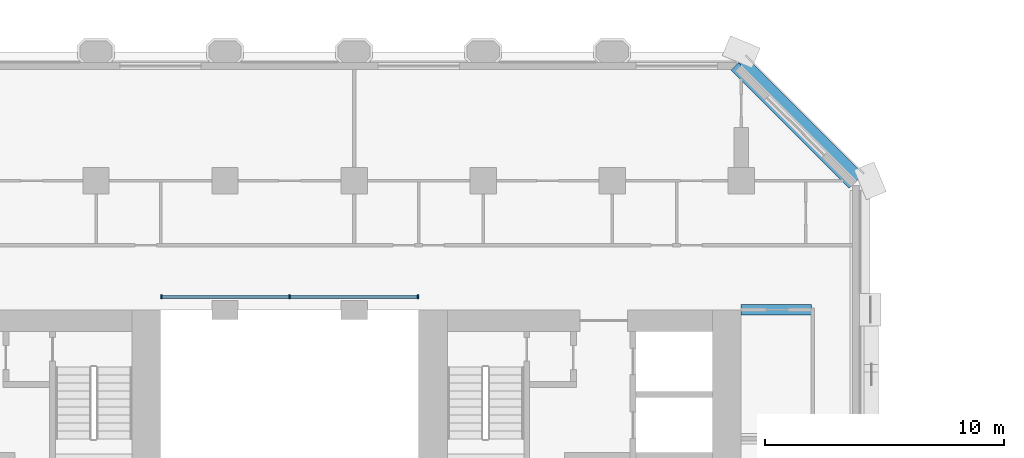
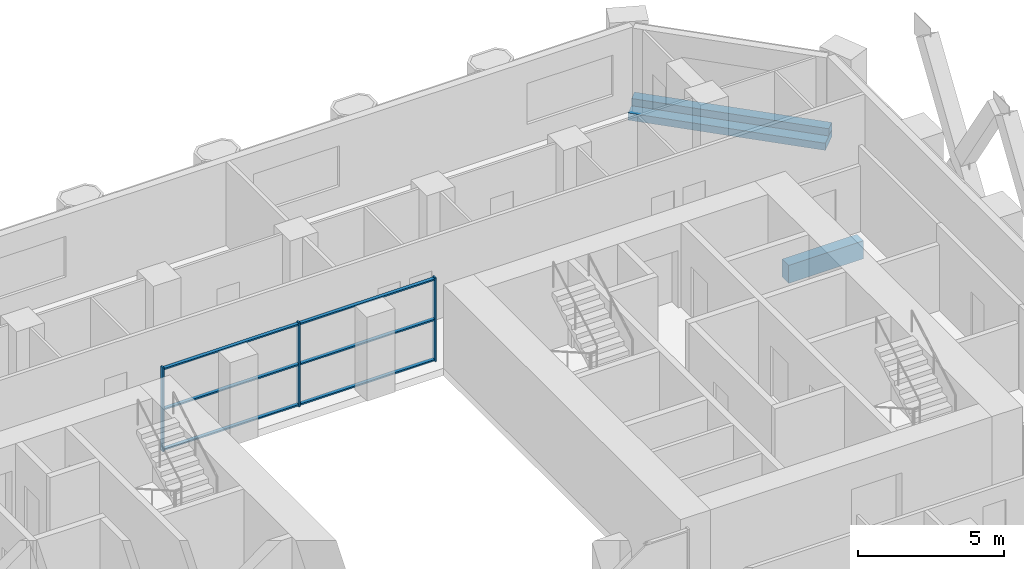
# One storey, part 4 of 14: 9 members, 3 beams, 1 element without a shape of its own.
"""IFC4 building model written with IfcOpenShell, lengths in metres."""

from ifc_helpers import new_model, si_unit, direction, frame, origin, origin_2d, place, context, subcontext, project, spatial, rectangle, extrude, material, material_profile, profile_set, type_object, element, aggregate, save


model = new_model("IFC4")

# Units and contexts
model_context = context("Model", 3, precision=1e-05, world=origin(), true_north=direction((0.0, 1.0)))
body_context = subcontext(model_context, "Body", "Model", "MODEL_VIEW")
ifc_project = project(units=[si_unit("LENGTHUNIT", "METRE"), si_unit("AREAUNIT", "SQUARE_METRE"), si_unit("VOLUMEUNIT", "CUBIC_METRE"), si_unit("PLANEANGLEUNIT", "RADIAN"), si_unit("MASSUNIT", "GRAM", prefix="KILO")], contexts=[model_context])

# Site, building, storey
site_placement = place(None, origin())
site = spatial("IfcSite", under=ifc_project, at=site_placement, CompositionType="ELEMENT")
building_placement = place(site_placement, origin())
building = spatial("IfcBuilding", under=site, at=building_placement, Name="Tabaq Tower and Sports Hall", CompositionType="ELEMENT")
storey_placement = place(building_placement, frame((0.0, 0.0, 33.60009765625)))
storey = spatial("IfcBuildingStorey", under=building, at=storey_placement, Name="L06", CompositionType="ELEMENT", Elevation=33.60009765625)

# Curtain wall, members
ifc_material_1 = material(Name="Aluminium alloy 6063-T6 framed glazing", Category="aluminium")
curtain_wall_type = type_object("IfcCurtainWallType", Name="CW1 curtain wall", PredefinedType="USERDEFINED", material=ifc_material_1)
curtain_wall_placement = place(storey_placement, origin())
curtain_wall = element("IfcCurtainWall", 1, at=curtain_wall_placement, inside=storey, type_object=curtain_wall_type, Name="Atrium glazing L06 N", ObjectType="ATRIUM ENCLOSURE", PredefinedType="USERDEFINED")
ifc_material_2 = material(Name="Aluminium alloy 6063-T6", Category="aluminium")
ifc_material_profile_1 = material_profile(ifc_material_2, rectangle(XDim=0.159912109375, YDim=0.06005859375, at=origin_2d()), Name="MULLION 160x60")
ifc_profile_set_1 = profile_set([ifc_material_profile_1], Name="Aluminium alloy 6063-T6")
member_type_1 = type_object("IfcMemberType", Name="CW1 mullion 160x60", PredefinedType="MULLION", material=ifc_profile_set_1)
member_1_placement = place(storey_placement, frame((18.929931640625, 32.949951171875, 0.0), z_axis=(0.0, 0.0, 1.0), x_axis=(0.0, 1.0, 0.0)))
member_1 = element("IfcMember", 2, at=member_1_placement, type_object=member_type_1, Name="CW1 mullion 1", PredefinedType="MULLION", context=body_context, shape_type="SweptSolid", body=[
    extrude(rectangle(XDim=0.159912109375, YDim=0.06005859375, at=origin_2d()), origin(), (0.0, 0.0, 1.0), 3.5),
])
member_2_placement = place(storey_placement, frame((24.300048828125, 32.949951171875, 0.0), z_axis=(0.0, 0.0, 1.0), x_axis=(0.0, 1.0, 0.0)))
member_2 = element("IfcMember", 3, at=member_2_placement, type_object=member_type_1, Name="CW1 mullion 2", PredefinedType="MULLION", context=body_context, shape_type="SweptSolid", body=[
    extrude(rectangle(XDim=0.159912109375, YDim=0.06005859375, at=origin_2d()), origin(), (0.0, 0.0, 1.0), 3.5),
])
member_3_placement = place(storey_placement, frame((29.669921875, 32.949951171875, 0.0), z_axis=(0.0, 0.0, 1.0), x_axis=(0.0, 1.0, 0.0)))
member_3 = element("IfcMember", 4, at=member_3_placement, type_object=member_type_1, Name="CW1 mullion 3", PredefinedType="MULLION", context=body_context, shape_type="SweptSolid", body=[
    extrude(rectangle(XDim=0.159912109375, YDim=0.06005859375, at=origin_2d()), origin(), (0.0, 0.0, 1.0), 3.5),
])
ifc_material_3 = material(Name="Aluminium alloy 6063-T6", Category="aluminium")
ifc_material_profile_2 = material_profile(ifc_material_3, rectangle(XDim=0.139892578125, YDim=0.06005859375, at=origin_2d()), Name="TRANSOM 140x60")
ifc_profile_set_2 = profile_set([ifc_material_profile_2], Name="Aluminium alloy 6063-T6")
member_type_2 = type_object("IfcMemberType", Name="CW1 transom 140x60", PredefinedType="USERDEFINED", material=ifc_profile_set_2)
member_4_placement = place(storey_placement, frame((18.9599609375, 32.949951171875, 0.06982421875), z_axis=(1.0, 0.0, 0.0), x_axis=(0.0, 1.0, 0.0)))
member_4 = element("IfcMember", 5, at=member_4_placement, type_object=member_type_2, Name="CW1 transom 1.1", ObjectType="TRANSOM", PredefinedType="USERDEFINED", context=body_context, shape_type="SweptSolid", body=[
    extrude(rectangle(XDim=0.139892578125, YDim=0.06005859375, at=origin_2d()), origin(), (0.0, 0.0, 1.0), 5.31005859375),
])
member_5_placement = place(storey_placement, frame((18.9599609375, 32.949951171875, 1.75), z_axis=(1.0, 0.0, 0.0), x_axis=(0.0, 1.0, 0.0)))
member_5 = element("IfcMember", 6, at=member_5_placement, type_object=member_type_2, Name="CW1 transom 1.2", ObjectType="TRANSOM", PredefinedType="USERDEFINED", context=body_context, shape_type="SweptSolid", body=[
    extrude(rectangle(XDim=0.139892578125, YDim=0.06005859375, at=origin_2d()), origin(), (0.0, 0.0, 1.0), 5.31005859375),
])
member_6_placement = place(storey_placement, frame((18.9599609375, 32.949951171875, 3.429931640625), z_axis=(1.0, 0.0, 0.0), x_axis=(0.0, 1.0, 0.0)))
member_6 = element("IfcMember", 7, at=member_6_placement, type_object=member_type_2, Name="CW1 transom 1.3", ObjectType="TRANSOM", PredefinedType="USERDEFINED", context=body_context, shape_type="SweptSolid", body=[
    extrude(rectangle(XDim=0.139892578125, YDim=0.06005859375, at=origin_2d()), origin(), (0.0, 0.0, 1.0), 5.31005859375),
])
member_7_placement = place(storey_placement, frame((24.330078125, 32.949951171875, 0.06982421875), z_axis=(1.0, 0.0, 0.0), x_axis=(0.0, 1.0, 0.0)))
member_7 = element("IfcMember", 8, at=member_7_placement, type_object=member_type_2, Name="CW1 transom 2.1", ObjectType="TRANSOM", PredefinedType="USERDEFINED", context=body_context, shape_type="SweptSolid", body=[
    extrude(rectangle(XDim=0.139892578125, YDim=0.06005859375, at=origin_2d()), origin(), (0.0, 0.0, 1.0), 5.309814453125),
])
member_8_placement = place(storey_placement, frame((24.330078125, 32.949951171875, 1.75), z_axis=(1.0, 0.0, 0.0), x_axis=(0.0, 1.0, 0.0)))
member_8 = element("IfcMember", 9, at=member_8_placement, type_object=member_type_2, Name="CW1 transom 2.2", ObjectType="TRANSOM", PredefinedType="USERDEFINED", context=body_context, shape_type="SweptSolid", body=[
    extrude(rectangle(XDim=0.139892578125, YDim=0.06005859375, at=origin_2d()), origin(), (0.0, 0.0, 1.0), 5.309814453125),
])
member_9_placement = place(storey_placement, frame((24.330078125, 32.949951171875, 3.429931640625), z_axis=(1.0, 0.0, 0.0), x_axis=(0.0, 1.0, 0.0)))
member_9 = element("IfcMember", 10, at=member_9_placement, type_object=member_type_2, Name="CW1 transom 2.3", ObjectType="TRANSOM", PredefinedType="USERDEFINED", context=body_context, shape_type="SweptSolid", body=[
    extrude(rectangle(XDim=0.139892578125, YDim=0.06005859375, at=origin_2d()), origin(), (0.0, 0.0, 1.0), 5.309814453125),
])
aggregate(curtain_wall, [member_1, member_2, member_3, member_4, member_5, member_6, member_7, member_8, member_9])

# Beams
ifc_material_4 = material(Name="Concrete C40/50", Category="concrete")
ifc_material_profile_3 = material_profile(ifc_material_4, rectangle(XDim=0.449951171875, YDim=0.75, at=origin_2d()), Name="CB 450x750")
ifc_profile_set_3 = profile_set([ifc_material_profile_3], Name="Concrete C40/50")
beam_type_1 = type_object("IfcBeamType", Name="PT CANTILEVER BEAM CB 450x750 C40/50", PredefinedType="BEAM", material=ifc_profile_set_3)
beam_1_placement = place(storey_placement, frame((46.14990234375, 32.39990234375, -0.675048828125), z_axis=(-1.0, 0.0, 0.0), x_axis=(0.0, -1.0, 0.0)))
element("IfcBeam", 11, at=beam_1_placement, inside=storey, type_object=beam_type_1, Name="Cantilever Beam L06 E6 span 1", PredefinedType="BEAM", context=body_context, shape_type="SweptSolid", body=[
    extrude(rectangle(XDim=0.449951171875, YDim=0.75, at=origin_2d()), origin(), (0.0, 0.0, 1.0), 2.949951171875),
])
ifc_material_5 = material(Name="Concrete C40/50", Category="concrete")
ifc_material_profile_4 = material_profile(ifc_material_5, rectangle(XDim=0.85009765625, YDim=0.300048828125, at=origin_2d()), Name="EB 850x300")
ifc_profile_set_4 = profile_set([ifc_material_profile_4], Name="Concrete C40/50")
beam_type_2 = type_object("IfcBeamType", Name="PT EDGE BEAM EB 850x300 C40/50", PredefinedType="SPANDREL", material=ifc_profile_set_4)
beam_2_placement = place(storey_placement, frame((48.01513671875, 37.78369140625, -0.150146484375), z_axis=(-0.707106781187, 0.707106781187, 0.0), x_axis=(-0.707106781187, -0.707106781187, 0.0)))
element("IfcBeam", 12, at=beam_2_placement, inside=storey, type_object=beam_type_2, Name="Edge Beam L06 4", PredefinedType="SPANDREL", context=body_context, shape_type="SweptSolid", body=[
    extrude(rectangle(XDim=0.85009765625, YDim=0.300048828125, at=origin_2d()), origin(), (0.0, 0.0, 1.0), 6.98486328125),
])
ifc_material_6 = material(Name="Concrete C40/50", Category="concrete")
ifc_material_profile_5 = material_profile(ifc_material_6, rectangle(XDim=0.39990234375, YDim=0.300048828125, at=origin_2d()), Name="EU 400x300")
ifc_profile_set_5 = profile_set([ifc_material_profile_5], Name="Concrete C40/50")
beam_type_3 = type_object("IfcBeamType", Name="PT EDGE UPSTAND EU 400x300 C40/50", PredefinedType="BEAM", material=ifc_profile_set_5)
beam_3_placement = place(storey_placement, frame((48.17431640625, 37.94287109375, 0.14990234375), z_axis=(-0.707106781187, 0.707106781187, 0.0), x_axis=(-0.707106781187, -0.707106781187, 0.0)))
element("IfcBeam", 13, at=beam_3_placement, inside=storey, type_object=beam_type_3, Name="Edge Upstand L06 4", PredefinedType="BEAM", context=body_context, shape_type="SweptSolid", body=[
    extrude(rectangle(XDim=0.39990234375, YDim=0.300048828125, at=origin_2d()), origin(), (0.0, 0.0, 1.0), 6.98486328125),
])

save(model, "model.ifc")
